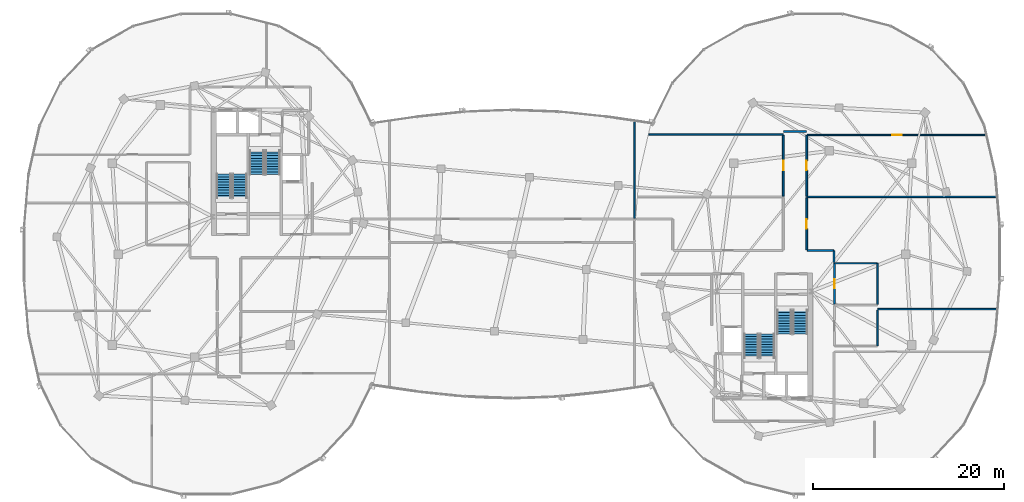
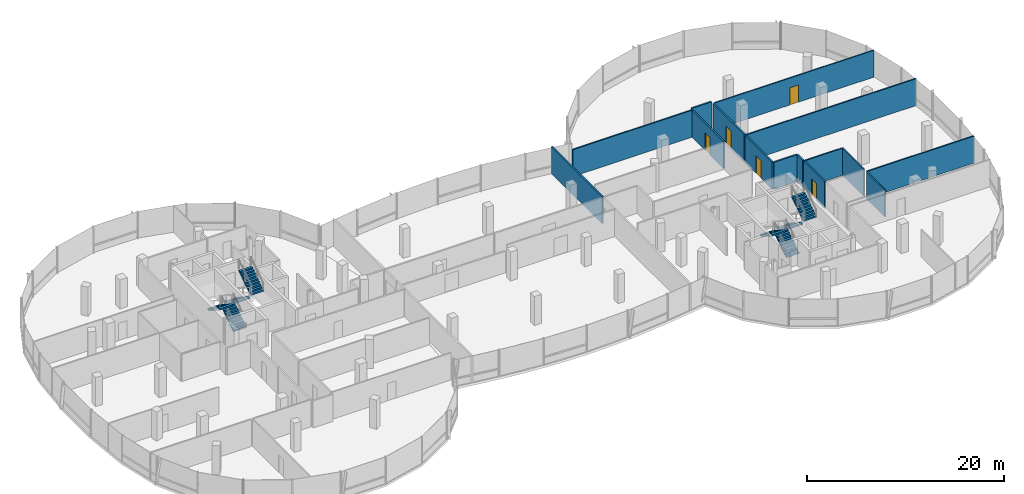
# One storey, part 17 of 25: 15 walls, 8 stair flights, 5 doors, 5 openings, 4 elements without a shape of their own.
"""IFC4 building model written with IfcOpenShell, lengths in metres."""

from ifc_helpers import new_model, si_unit, direction, frame, frame_2d, origin, place, context, subcontext, project, spatial, polyline, rectangle, outline, extrude, material, layer, layer_set, type_object, element, fill, aggregate, save


model = new_model("IFC4")

# Units and contexts
model_context = context("Model", 3, precision=1e-05, world=origin(), true_north=direction((0.0, 1.0)))
body_context = subcontext(model_context, "Body", "Model", "MODEL_VIEW")
ifc_project = project(units=[si_unit("LENGTHUNIT", "METRE"), si_unit("AREAUNIT", "SQUARE_METRE"), si_unit("VOLUMEUNIT", "CUBIC_METRE"), si_unit("PLANEANGLEUNIT", "RADIAN"), si_unit("MASSUNIT", "GRAM", prefix="KILO"), si_unit("THERMODYNAMICTEMPERATUREUNIT", "KELVIN"), si_unit("POWERUNIT", "WATT")], contexts=[model_context])

# Site, building, storey
site_placement = place(None, origin())
site = spatial("IfcSite", under=ifc_project, at=site_placement, CompositionType="ELEMENT")
building_placement = place(site_placement, origin())
building = spatial("IfcBuilding", under=site, at=building_placement, Name="Cundina Bronze Exchange", CompositionType="ELEMENT")
storey_placement = place(building_placement, frame((0.0, 0.0, 246.800048828125)))
storey = spatial("IfcBuildingStorey", under=building, at=storey_placement, Name="L65", CompositionType="ELEMENT", Elevation=246.800048828125)

# Wall, opening, door
ifc_material_1 = material(Name="Gypsum Fireboard Partition EI120")
ifc_layer_1 = layer(ifc_material_1, 0.179931640625, Name="Gypsum Fireboard Partition EI120")
ifc_layer_set_1 = layer_set([ifc_layer_1], Name="Gypsum Fireboard Partition EI120")
wall_type_1 = type_object("IfcWallType", Name="WL-COR-180", PredefinedType="PARTITIONING", material=ifc_layer_set_1)
wall_1_placement = place(storey_placement, frame((33.719970703125, -5.22998046875, 0.0), z_axis=(0.0, 0.0, 1.0), x_axis=(0.0, 1.0, 0.0)))
wall_1 = element("IfcWall", 1, at=wall_1_placement, inside=storey, type_object=wall_type_1, Name="L65 Interior Partition 045", PredefinedType="PARTITIONING", context=body_context, shape_type="SweptSolid", body=[
    extrude(rectangle(XDim=4.260009765625, YDim=0.179931640625, at=frame_2d((2.1298828125, 0.0))), origin(), (0.0, 0.0, 1.0), 3.33984375),
])
opening_1_placement = place(wall_1_placement, frame((1.655029296875, 0.0, 0.0)))
opening_1 = element("IfcOpeningElement", 2, at=opening_1_placement, cuts=wall_1, Name="Opening DW-01", PredefinedType="OPENING", context=body_context, shape_type="SweptSolid", body=[
    extrude(rectangle(XDim=0.949951171875, YDim=2.10009765625, at=frame_2d((0.47509765625, 1.050048828125))), frame((0.0, 0.099853515625, 0.0), z_axis=(0.0, -1.0, 0.0), x_axis=(1.0, 0.0, 0.0)), (0.0, 0.0, 1.0), 0.199951171875),
])
ifc_material_2 = material(Name="Solid Andean Oak Timber Grade A", Category="wood")
door_type_1 = type_object("IfcDoorType", Name="DR-WC-950", OperationType="NOTDEFINED", PredefinedType="DOOR", material=ifc_material_2)
door_1_placement = place(opening_1_placement, origin())
door_1 = element("IfcDoor", 3, at=door_1_placement, inside=storey, type_object=door_type_1, Name="L65 Interior Door 045", OperationType="SINGLE_SWING_LEFT", OverallHeight=2.10009765625, OverallWidth=0.949951171875, PredefinedType="DOOR", context=body_context, shape_type="SweptSolid", body=[
    extrude(rectangle(XDim=0.949951171875, YDim=2.10009765625, at=frame_2d((0.47509765625, 1.050048828125))), frame((0.0, 0.02490234375, 0.0), z_axis=(0.0, -1.0, 0.0), x_axis=(1.0, 0.0, 0.0)), (0.0, 0.0, 1.0), 0.050048828125),
])
fill(opening_1, door_1)

wall_2_placement = place(storey_placement, frame((30.820068359375, 0.449951171875, 0.0), z_axis=(0.0, 0.0, 1.0), x_axis=(0.0, 1.0, 0.0)))
wall_2 = element("IfcWall", 4, at=wall_2_placement, inside=storey, type_object=wall_type_1, Name="L65 Interior Partition 056", PredefinedType="PARTITIONING", context=body_context, shape_type="SweptSolid", body=[
    extrude(rectangle(XDim=5.43994140625, YDim=0.179931640625, at=frame_2d((2.719970703125, 0.0))), origin(), (0.0, 0.0, 1.0), 3.33984375),
])
opening_2_placement = place(wall_2_placement, frame((2.219970703125, 0.0, 0.0)))
opening_2 = element("IfcOpeningElement", 5, at=opening_2_placement, cuts=wall_2, Name="Opening DO-01", PredefinedType="OPENING", context=body_context, shape_type="SweptSolid", body=[
    extrude(rectangle(XDim=1.0, YDim=2.14990234375, at=frame_2d((0.5, 1.074951171875))), frame((0.0, 0.099853515625, 0.0), z_axis=(0.0, -1.0, 0.0), x_axis=(1.0, 0.0, 0.0)), (0.0, 0.0, 1.0), 0.199951171875),
])
door_type_2 = type_object("IfcDoorType", Name="DR-OFF-1000", OperationType="NOTDEFINED", PredefinedType="DOOR", material=ifc_material_2)
door_2_placement = place(opening_2_placement, origin())
door_2 = element("IfcDoor", 6, at=door_2_placement, inside=storey, type_object=door_type_2, Name="L65 Interior Door 056", OperationType="SINGLE_SWING_RIGHT", OverallHeight=2.14990234375, OverallWidth=1.0, PredefinedType="DOOR", context=body_context, shape_type="SweptSolid", body=[
    extrude(rectangle(XDim=1.0, YDim=2.14990234375, at=frame_2d((0.5, 1.074951171875))), frame((0.0, 0.02490234375, 0.0), z_axis=(0.0, -1.0, 0.0), x_axis=(1.0, 0.0, 0.0)), (0.0, 0.0, 1.0), 0.050048828125),
])
fill(opening_2, door_2)

# Walls
wall_3_placement = place(storey_placement, frame((33.62841796875, 0.3701171875, 0.0), z_axis=(0.0, 0.0, 1.0), x_axis=(-1.0, 0.0, 0.0)))
element("IfcWall", 7, at=wall_3_placement, inside=storey, type_object=wall_type_1, Name="L65 Interior Partition 057", PredefinedType="PARTITIONING", context=body_context, shape_type="SweptSolid", body=[
    extrude(rectangle(XDim=2.728515625, YDim=0.179931640625, at=frame_2d((1.3642578125, 0.0))), origin(), (0.0, 0.0, 1.0), 3.33984375),
])
wall_4_placement = place(storey_placement, frame((33.669921875, -0.858642578125, 0.0), z_axis=(0.0, 0.0, 1.0), x_axis=(0.0, 1.0, 0.0)))
element("IfcWall", 8, at=wall_4_placement, inside=storey, type_object=wall_type_1, Name="L65 Interior Partition 058", PredefinedType="PARTITIONING", context=body_context, shape_type="SweptSolid", body=[
    extrude(rectangle(XDim=1.187255859375, YDim=0.179931640625, at=frame_2d((0.59375, 0.0))), origin(), (0.0, 0.0, 1.0), 3.33984375),
])

# Wall, opening, door
wall_5_placement = place(storey_placement, frame((28.3798828125, 12.429931640625, 0.0), z_axis=(0.0, 0.0, 1.0), x_axis=(0.0, -1.0, 0.0)))
wall_5 = element("IfcWall", 9, at=wall_5_placement, inside=storey, type_object=wall_type_1, Name="L65 Interior Partition 063", PredefinedType="PARTITIONING", context=body_context, shape_type="SweptSolid", body=[
    extrude(rectangle(XDim=6.35986328125, YDim=0.179931640625, at=frame_2d((3.179931640625, 0.0))), origin(), (0.0, 0.0, 1.0), 3.33984375),
])
opening_3_placement = place(wall_5_placement, frame((2.679931640625, 0.0, 0.0)))
opening_3 = element("IfcOpeningElement", 10, at=opening_3_placement, cuts=wall_5, Name="Opening DO-01", PredefinedType="OPENING", context=body_context, shape_type="SweptSolid", body=[
    extrude(rectangle(XDim=1.0, YDim=2.14990234375, at=frame_2d((0.5, 1.074951171875))), frame((0.0, 0.099853515625, 0.0), z_axis=(0.0, -1.0, 0.0), x_axis=(1.0, 0.0, 0.0)), (0.0, 0.0, 1.0), 0.199951171875),
])
door_3_placement = place(opening_3_placement, origin())
door_3 = element("IfcDoor", 11, at=door_3_placement, inside=storey, type_object=door_type_2, Name="L65 Interior Door 063", OperationType="SINGLE_SWING_LEFT", OverallHeight=2.14990234375, OverallWidth=1.0, PredefinedType="DOOR", context=body_context, shape_type="SweptSolid", body=[
    extrude(rectangle(XDim=1.0, YDim=2.14990234375, at=frame_2d((0.5, 1.074951171875))), frame((0.0, 0.02490234375, 0.0), z_axis=(0.0, -1.0, 0.0), x_axis=(1.0, 0.0, 0.0)), (0.0, 0.0, 1.0), 0.050048828125),
])
fill(opening_3, door_3)

wall_6_placement = place(storey_placement, frame((30.820068359375, 6.070068359375, 0.0), z_axis=(0.0, 0.0, 1.0), x_axis=(0.0, 1.0, 0.0)))
wall_6 = element("IfcWall", 12, at=wall_6_placement, inside=storey, type_object=wall_type_1, Name="L65 Interior Partition 064", PredefinedType="PARTITIONING", context=body_context, shape_type="SweptSolid", body=[
    extrude(rectangle(XDim=6.35986328125, YDim=0.179931640625, at=frame_2d((3.179931640625, 0.0))), origin(), (0.0, 0.0, 1.0), 3.33984375),
])
opening_4_placement = place(wall_6_placement, frame((2.679931640625, 0.0, 0.0)))
opening_4 = element("IfcOpeningElement", 13, at=opening_4_placement, cuts=wall_6, Name="Opening DO-01", PredefinedType="OPENING", context=body_context, shape_type="SweptSolid", body=[
    extrude(rectangle(XDim=1.0, YDim=2.14990234375, at=frame_2d((0.5, 1.074951171875))), frame((0.0, 0.099853515625, 0.0), z_axis=(0.0, -1.0, 0.0), x_axis=(1.0, 0.0, 0.0)), (0.0, 0.0, 1.0), 0.199951171875),
])
door_4_placement = place(opening_4_placement, origin())
door_4 = element("IfcDoor", 14, at=door_4_placement, inside=storey, type_object=door_type_2, Name="L65 Interior Door 064", OperationType="SINGLE_SWING_RIGHT", OverallHeight=2.14990234375, OverallWidth=1.0, PredefinedType="DOOR", context=body_context, shape_type="SweptSolid", body=[
    extrude(rectangle(XDim=1.0, YDim=2.14990234375, at=frame_2d((0.5, 1.074951171875))), frame((0.0, 0.02490234375, 0.0), z_axis=(0.0, -1.0, 0.0), x_axis=(1.0, 0.0, 0.0)), (0.0, 0.0, 1.0), 0.050048828125),
])
fill(opening_4, door_4)

# Walls
wall_7_placement = place(storey_placement, frame((30.778564453125, 12.820068359375, 0.0), z_axis=(0.0, 0.0, 1.0), x_axis=(-1.0, 0.0, 0.0)))
element("IfcWall", 15, at=wall_7_placement, inside=storey, type_object=wall_type_1, Name="L65 Interior Partition 065", PredefinedType="PARTITIONING", context=body_context, shape_type="SweptSolid", body=[
    extrude(rectangle(XDim=2.357177734375, YDim=0.179931640625, at=frame_2d((1.1787109375, 0.0))), origin(), (0.0, 0.0, 1.0), 3.33984375),
])
wall_8_placement = place(storey_placement, frame((12.800048828125, 3.739990234375, 0.0), z_axis=(0.0, 0.0, 1.0), x_axis=(0.0, 1.0, 0.0)))
element("IfcWall", 16, at=wall_8_placement, inside=storey, type_object=wall_type_1, Name="L65 Interior Partition 077", PredefinedType="PARTITIONING", context=body_context, shape_type="SweptSolid", body=[
    extrude(rectangle(XDim=10.3037109375, YDim=0.179931640625, at=frame_2d((5.15185546875, 0.0))), origin(), (0.0, 0.0, 1.0), 3.33984375),
])

# Wall, opening, door
ifc_material_3 = material(Name="Gypsum Acoustic Partition EI60")
ifc_layer_2 = layer(ifc_material_3, 0.125, Name="Gypsum Acoustic Partition EI60")
ifc_layer_set_2 = layer_set([ifc_layer_2], Name="Gypsum Acoustic Partition EI60")
wall_type_2 = type_object("IfcWallType", Name="WL-OFF-125", PredefinedType="PARTITIONING", material=ifc_layer_set_2)
wall_9_placement = place(storey_placement, frame((49.61865234375, 12.469970703125, 0.0), z_axis=(0.0, 0.0, 1.0), x_axis=(-1.0, 0.0, 0.0)))
wall_9 = element("IfcWall", 17, at=wall_9_placement, inside=storey, type_object=wall_type_2, Name="L65 Interior Partition 067", PredefinedType="PARTITIONING", context=body_context, shape_type="SweptSolid", body=[
    extrude(rectangle(XDim=18.71875, YDim=0.125, at=frame_2d((9.359375, 0.0))), origin(), (0.0, 0.0, 1.0), 3.33984375),
])
opening_5_placement = place(wall_9_placement, frame((8.859375, 0.0, 0.0)))
opening_5 = element("IfcOpeningElement", 18, at=opening_5_placement, cuts=wall_9, Name="Opening DO-01", PredefinedType="OPENING", context=body_context, shape_type="SweptSolid", body=[
    extrude(rectangle(XDim=1.0, YDim=2.14990234375, at=frame_2d((0.5, 1.074951171875))), frame((0.0, 0.072509765625, 0.0), z_axis=(0.0, -1.0, 0.0), x_axis=(1.0, 0.0, 0.0)), (0.0, 0.0, 1.0), 0.14501953125),
])
door_5_placement = place(opening_5_placement, origin())
door_5 = element("IfcDoor", 19, at=door_5_placement, inside=storey, type_object=door_type_2, Name="L65 Interior Door 067", OperationType="SINGLE_SWING_LEFT", OverallHeight=2.14990234375, OverallWidth=1.0, PredefinedType="DOOR", context=body_context, shape_type="SweptSolid", body=[
    extrude(rectangle(XDim=1.0, YDim=2.14990234375, at=frame_2d((0.5, 1.074951171875))), frame((0.0, 0.02490234375, 0.0), z_axis=(0.0, -1.0, 0.0), x_axis=(1.0, 0.0, 0.0)), (0.0, 0.0, 1.0), 0.050048828125),
])
fill(opening_5, door_5)

# Walls
ifc_layer_3 = layer(ifc_material_3, 0.14990234375, Name="Gypsum Acoustic Partition EI60")
ifc_layer_set_3 = layer_set([ifc_layer_3], Name="Gypsum Acoustic Partition EI60")
wall_type_3 = type_object("IfcWallType", Name="WL-TEN-150", PredefinedType="PARTITIONING", material=ifc_layer_set_3)
wall_10_placement = place(storey_placement, frame((30.85009765625, 5.97998046875, 0.0), z_axis=(0.0, 0.0, 1.0), x_axis=(1.0, 0.0, 0.0)))
element("IfcWall", 20, at=wall_10_placement, inside=storey, type_object=wall_type_3, Name="L65 Interior Partition 048", PredefinedType="PARTITIONING", context=body_context, shape_type="SweptSolid", body=[
    extrude(rectangle(XDim=19.985107421875, YDim=0.14990234375, at=frame_2d((9.99267578125, 0.0))), origin(), (0.0, 0.0, 1.0), 3.33984375),
])
wall_11_placement = place(storey_placement, frame((14.314208984375, 12.52001953125, 0.0), z_axis=(0.0, 0.0, 1.0), x_axis=(1.0, 0.0, 0.0)))
element("IfcWall", 21, at=wall_11_placement, inside=storey, type_object=wall_type_3, Name="L65 Interior Partition 049", PredefinedType="PARTITIONING", context=body_context, shape_type="SweptSolid", body=[
    extrude(rectangle(XDim=14.035888671875, YDim=0.14990234375, at=frame_2d((7.01806640625, 0.0))), origin(), (0.0, 0.0, 1.0), 3.33984375),
])
wall_12_placement = place(storey_placement, frame((38.27001953125, -5.760009765625, 0.0), z_axis=(0.0, 0.0, 1.0), x_axis=(1.0, 0.0, 0.0)))
element("IfcWall", 22, at=wall_12_placement, inside=storey, type_object=wall_type_3, Name="L65 Interior Partition 050", PredefinedType="PARTITIONING", context=body_context, shape_type="SweptSolid", body=[
    extrude(rectangle(XDim=12.583740234375, YDim=0.14990234375, at=frame_2d((6.2919921875, 0.0))), origin(), (0.0, 0.0, 1.0), 3.33984375),
])
ifc_material_4 = material(Name="Moisture-Resistant Masonry Block Grade M15", Category="masonry")
ifc_layer_4 = layer(ifc_material_4, 0.139892578125, Name="Moisture-Resistant Masonry Block Grade M15", Category="masonry")
ifc_layer_set_4 = layer_set([ifc_layer_4], Name="Moisture-Resistant Masonry Block Grade M15")
wall_type_4 = type_object("IfcWallType", Name="WL-WET-140", PredefinedType="PARTITIONING", material=ifc_layer_set_4)
wall_13_placement = place(storey_placement, frame((38.239990234375, -9.590087890625, 0.0), z_axis=(0.0, 0.0, 1.0), x_axis=(0.0, 1.0, 0.0)))
element("IfcWall", 23, at=wall_13_placement, inside=storey, type_object=wall_type_4, Name="L65 Interior Partition 040", PredefinedType="PARTITIONING", context=body_context, shape_type="SweptSolid", body=[
    extrude(rectangle(XDim=3.7451171875, YDim=0.139892578125, at=frame_2d((1.87255859375, 0.0))), origin(), (0.0, 0.0, 1.0), 3.33984375),
])
wall_14_placement = place(storey_placement, frame((38.239990234375, -5.2451171875, 0.0), z_axis=(0.0, 0.0, 1.0), x_axis=(0.0, 1.0, 0.0)))
element("IfcWall", 24, at=wall_14_placement, inside=storey, type_object=wall_type_4, Name="L65 Interior Partition 041", PredefinedType="PARTITIONING", context=body_context, shape_type="SweptSolid", body=[
    extrude(rectangle(XDim=4.275146484375, YDim=0.139892578125, at=frame_2d((2.1376953125, 0.0))), origin(), (0.0, 0.0, 1.0), 3.33984375),
])
wall_15_placement = place(storey_placement, frame((33.739990234375, -0.949951171875, 0.0), z_axis=(0.0, 0.0, 1.0), x_axis=(1.0, 0.0, 0.0)))
element("IfcWall", 25, at=wall_15_placement, inside=storey, type_object=wall_type_4, Name="L65 Interior Partition 042", PredefinedType="PARTITIONING", context=body_context, shape_type="SweptSolid", body=[
    extrude(rectangle(XDim=4.47998046875, YDim=0.139892578125, at=frame_2d((2.239990234375, 0.0))), origin(), (0.0, 0.0, 1.0), 3.33984375),
])

# Stair, stair flights
ifc_material_5 = material(Name="Concrete C40/50", Category="concrete")
stair_type = type_object("IfcStairType", Name="STR-OFF-360", PredefinedType="HALF_TURN_STAIR", material=ifc_material_5)
stair_1_placement = place(storey_placement, origin())
stair_1 = element("IfcStair", 26, at=stair_1_placement, inside=storey, type_object=stair_type, Name="L65 Smokeproof Exit Stair W1", PredefinedType="HALF_TURN_STAIR")
stair_flight_type = type_object("IfcStairFlightType", Name="FLG-OFF-180", PredefinedType="STRAIGHT", material=ifc_material_5)
stair_flight_1_placement = place(storey_placement, frame((-28.489990234375, 5.85009765625, 0.0), z_axis=(0.0, 0.0, 1.0), x_axis=(0.0, 1.0, 0.0)))
stair_flight_1 = element("IfcStairFlight", 27, at=stair_flight_1_placement, type_object=stair_flight_type, Name="ST-W1 flight 1", NumberOfRisers=10, NumberOfTreads=9, PredefinedType="STRAIGHT", RiserHeight=0.18, TreadLength=0.28, context=body_context, shape_type="SweptSolid", body=[
    extrude(outline(polyline([(0.0, 0.0), (0.0, 0.179931640625), (0.280029296875, 0.179931640625), (0.280029296875, 0.360107421875), (0.56005859375, 0.360107421875), (0.56005859375, 0.5400390625), (0.840087890625, 0.5400390625), (0.840087890625, 0.719970703125), (1.1201171875, 0.719970703125), (1.1201171875, 0.89990234375), (1.39990234375, 0.89990234375), (1.39990234375, 1.080078125), (1.679931640625, 1.080078125), (1.679931640625, 1.260009765625), (1.9599609375, 1.260009765625), (1.9599609375, 1.43994140625), (2.239990234375, 1.43994140625), (2.239990234375, 1.6201171875), (2.52001953125, 1.6201171875), (2.52001953125, 1.800048828125), (2.52001953125, 1.44189453125), (0.277099609375, 0.0), (0.0, 0.0)])), frame((0.0, 0.75, 0.0), z_axis=(0.0, -1.0, 0.0), x_axis=(1.0, 0.0, 0.0)), (0.0, 0.0, 1.0), 1.5),
])
stair_flight_2_placement = place(storey_placement, frame((-30.14990234375, 8.3701171875, 1.800048828125), z_axis=(0.0, 0.0, 1.0), x_axis=(0.0, -1.0, 0.0)))
stair_flight_2 = element("IfcStairFlight", 28, at=stair_flight_2_placement, type_object=stair_flight_type, Name="ST-W1 flight 2", NumberOfRisers=10, NumberOfTreads=9, PredefinedType="STRAIGHT", RiserHeight=0.18, TreadLength=0.28, context=body_context, shape_type="SweptSolid", body=[
    extrude(outline(polyline([(0.0, 0.0), (0.0, 0.179931640625), (0.280029296875, 0.179931640625), (0.280029296875, 0.360107421875), (0.56005859375, 0.360107421875), (0.56005859375, 0.5400390625), (0.840087890625, 0.5400390625), (0.840087890625, 0.719970703125), (1.1201171875, 0.719970703125), (1.1201171875, 0.89990234375), (1.39990234375, 0.89990234375), (1.39990234375, 1.080078125), (1.679931640625, 1.080078125), (1.679931640625, 1.260009765625), (1.9599609375, 1.260009765625), (1.9599609375, 1.43994140625), (2.239990234375, 1.43994140625), (2.239990234375, 1.6201171875), (2.52001953125, 1.6201171875), (2.52001953125, 1.800048828125), (2.52001953125, 1.44189453125), (0.277099609375, 0.0), (0.0, 0.0)])), frame((0.0, 0.75, 0.0), z_axis=(0.0, -1.0, 0.0), x_axis=(1.0, 0.0, 0.0)), (0.0, 0.0, 1.0), 1.5),
])
aggregate(stair_1, [stair_flight_1, stair_flight_2])

stair_2_placement = place(storey_placement, origin())
stair_2 = element("IfcStair", 29, at=stair_2_placement, inside=storey, type_object=stair_type, Name="L65 Smokeproof Exit Stair W2", PredefinedType="HALF_TURN_STAIR")
stair_flight_3_placement = place(storey_placement, frame((-26.68994140625, 10.85009765625, 0.0), z_axis=(0.0, 0.0, 1.0), x_axis=(0.0, -1.0, 0.0)))
stair_flight_3 = element("IfcStairFlight", 30, at=stair_flight_3_placement, type_object=stair_flight_type, Name="ST-W2 flight 1", NumberOfRisers=10, NumberOfTreads=9, PredefinedType="STRAIGHT", RiserHeight=0.18, TreadLength=0.28, context=body_context, shape_type="SweptSolid", body=[
    extrude(outline(polyline([(0.0, 0.0), (0.0, 0.179931640625), (0.280029296875, 0.179931640625), (0.280029296875, 0.360107421875), (0.56005859375, 0.360107421875), (0.56005859375, 0.5400390625), (0.840087890625, 0.5400390625), (0.840087890625, 0.719970703125), (1.1201171875, 0.719970703125), (1.1201171875, 0.89990234375), (1.39990234375, 0.89990234375), (1.39990234375, 1.080078125), (1.679931640625, 1.080078125), (1.679931640625, 1.260009765625), (1.9599609375, 1.260009765625), (1.9599609375, 1.43994140625), (2.239990234375, 1.43994140625), (2.239990234375, 1.6201171875), (2.52001953125, 1.6201171875), (2.52001953125, 1.800048828125), (2.52001953125, 1.44189453125), (0.277099609375, 0.0), (0.0, 0.0)])), frame((0.0, 0.75, 0.0), z_axis=(0.0, -1.0, 0.0), x_axis=(1.0, 0.0, 0.0)), (0.0, 0.0, 1.0), 1.5),
])
stair_flight_4_placement = place(storey_placement, frame((-25.030029296875, 8.330078125, 1.800048828125), z_axis=(0.0, 0.0, 1.0), x_axis=(0.0, 1.0, 0.0)))
stair_flight_4 = element("IfcStairFlight", 31, at=stair_flight_4_placement, type_object=stair_flight_type, Name="ST-W2 flight 2", NumberOfRisers=10, NumberOfTreads=9, PredefinedType="STRAIGHT", RiserHeight=0.18, TreadLength=0.28, context=body_context, shape_type="SweptSolid", body=[
    extrude(outline(polyline([(0.0, 0.0), (0.0, 0.179931640625), (0.280029296875, 0.179931640625), (0.280029296875, 0.360107421875), (0.56005859375, 0.360107421875), (0.56005859375, 0.5400390625), (0.840087890625, 0.5400390625), (0.840087890625, 0.719970703125), (1.1201171875, 0.719970703125), (1.1201171875, 0.89990234375), (1.39990234375, 0.89990234375), (1.39990234375, 1.080078125), (1.679931640625, 1.080078125), (1.679931640625, 1.260009765625), (1.9599609375, 1.260009765625), (1.9599609375, 1.43994140625), (2.239990234375, 1.43994140625), (2.239990234375, 1.6201171875), (2.52001953125, 1.6201171875), (2.52001953125, 1.800048828125), (2.52001953125, 1.44189453125), (0.277099609375, 0.0), (0.0, 0.0)])), frame((0.0, 0.75, 0.0), z_axis=(0.0, -1.0, 0.0), x_axis=(1.0, 0.0, 0.0)), (0.0, 0.0, 1.0), 1.5),
])
aggregate(stair_2, [stair_flight_3, stair_flight_4])

stair_3_placement = place(storey_placement, origin())
stair_3 = element("IfcStair", 32, at=stair_3_placement, inside=storey, type_object=stair_type, Name="L65 Smokeproof Exit Stair E1", PredefinedType="HALF_TURN_STAIR")
stair_flight_5_placement = place(storey_placement, frame((28.489990234375, -5.85009765625, 0.0), z_axis=(0.0, 0.0, 1.0), x_axis=(0.0, -1.0, 0.0)))
stair_flight_5 = element("IfcStairFlight", 33, at=stair_flight_5_placement, type_object=stair_flight_type, Name="ST-E1 flight 1", NumberOfRisers=10, NumberOfTreads=9, PredefinedType="STRAIGHT", RiserHeight=0.18, TreadLength=0.28, context=body_context, shape_type="SweptSolid", body=[
    extrude(outline(polyline([(0.0, 0.0), (0.0, 0.179931640625), (0.280029296875, 0.179931640625), (0.280029296875, 0.360107421875), (0.56005859375, 0.360107421875), (0.56005859375, 0.5400390625), (0.840087890625, 0.5400390625), (0.840087890625, 0.719970703125), (1.1201171875, 0.719970703125), (1.1201171875, 0.89990234375), (1.39990234375, 0.89990234375), (1.39990234375, 1.080078125), (1.679931640625, 1.080078125), (1.679931640625, 1.260009765625), (1.9599609375, 1.260009765625), (1.9599609375, 1.43994140625), (2.239990234375, 1.43994140625), (2.239990234375, 1.6201171875), (2.52001953125, 1.6201171875), (2.52001953125, 1.800048828125), (2.52001953125, 1.44189453125), (0.277099609375, 0.0), (0.0, 0.0)])), frame((0.0, 0.75, 0.0), z_axis=(0.0, -1.0, 0.0), x_axis=(1.0, 0.0, 0.0)), (0.0, 0.0, 1.0), 1.5),
])
stair_flight_6_placement = place(storey_placement, frame((30.14990234375, -8.3701171875, 1.800048828125), z_axis=(0.0, 0.0, 1.0), x_axis=(0.0, 1.0, 0.0)))
stair_flight_6 = element("IfcStairFlight", 34, at=stair_flight_6_placement, type_object=stair_flight_type, Name="ST-E1 flight 2", NumberOfRisers=10, NumberOfTreads=9, PredefinedType="STRAIGHT", RiserHeight=0.18, TreadLength=0.28, context=body_context, shape_type="SweptSolid", body=[
    extrude(outline(polyline([(0.0, 0.0), (0.0, 0.179931640625), (0.280029296875, 0.179931640625), (0.280029296875, 0.360107421875), (0.56005859375, 0.360107421875), (0.56005859375, 0.5400390625), (0.840087890625, 0.5400390625), (0.840087890625, 0.719970703125), (1.1201171875, 0.719970703125), (1.1201171875, 0.89990234375), (1.39990234375, 0.89990234375), (1.39990234375, 1.080078125), (1.679931640625, 1.080078125), (1.679931640625, 1.260009765625), (1.9599609375, 1.260009765625), (1.9599609375, 1.43994140625), (2.239990234375, 1.43994140625), (2.239990234375, 1.6201171875), (2.52001953125, 1.6201171875), (2.52001953125, 1.800048828125), (2.52001953125, 1.44189453125), (0.277099609375, 0.0), (0.0, 0.0)])), frame((0.0, 0.75, 0.0), z_axis=(0.0, -1.0, 0.0), x_axis=(1.0, 0.0, 0.0)), (0.0, 0.0, 1.0), 1.5),
])
aggregate(stair_3, [stair_flight_5, stair_flight_6])

stair_4_placement = place(storey_placement, origin())
stair_4 = element("IfcStair", 35, at=stair_4_placement, inside=storey, type_object=stair_type, Name="L65 Smokeproof Exit Stair E2", PredefinedType="HALF_TURN_STAIR")
stair_flight_7_placement = place(storey_placement, frame((26.68994140625, -10.85009765625, 0.0), z_axis=(0.0, 0.0, 1.0), x_axis=(0.0, 1.0, 0.0)))
stair_flight_7 = element("IfcStairFlight", 36, at=stair_flight_7_placement, type_object=stair_flight_type, Name="ST-E2 flight 1", NumberOfRisers=10, NumberOfTreads=9, PredefinedType="STRAIGHT", RiserHeight=0.18, TreadLength=0.28, context=body_context, shape_type="SweptSolid", body=[
    extrude(outline(polyline([(0.0, 0.0), (0.0, 0.179931640625), (0.280029296875, 0.179931640625), (0.280029296875, 0.360107421875), (0.56005859375, 0.360107421875), (0.56005859375, 0.5400390625), (0.840087890625, 0.5400390625), (0.840087890625, 0.719970703125), (1.1201171875, 0.719970703125), (1.1201171875, 0.89990234375), (1.39990234375, 0.89990234375), (1.39990234375, 1.080078125), (1.679931640625, 1.080078125), (1.679931640625, 1.260009765625), (1.9599609375, 1.260009765625), (1.9599609375, 1.43994140625), (2.239990234375, 1.43994140625), (2.239990234375, 1.6201171875), (2.52001953125, 1.6201171875), (2.52001953125, 1.800048828125), (2.52001953125, 1.44189453125), (0.277099609375, 0.0), (0.0, 0.0)])), frame((0.0, 0.75, 0.0), z_axis=(0.0, -1.0, 0.0), x_axis=(1.0, 0.0, 0.0)), (0.0, 0.0, 1.0), 1.5),
])
stair_flight_8_placement = place(storey_placement, frame((25.030029296875, -8.330078125, 1.800048828125), z_axis=(0.0, 0.0, 1.0), x_axis=(0.0, -1.0, 0.0)))
stair_flight_8 = element("IfcStairFlight", 37, at=stair_flight_8_placement, type_object=stair_flight_type, Name="ST-E2 flight 2", NumberOfRisers=10, NumberOfTreads=9, PredefinedType="STRAIGHT", RiserHeight=0.18, TreadLength=0.28, context=body_context, shape_type="SweptSolid", body=[
    extrude(outline(polyline([(0.0, 0.0), (0.0, 0.179931640625), (0.280029296875, 0.179931640625), (0.280029296875, 0.360107421875), (0.56005859375, 0.360107421875), (0.56005859375, 0.5400390625), (0.840087890625, 0.5400390625), (0.840087890625, 0.719970703125), (1.1201171875, 0.719970703125), (1.1201171875, 0.89990234375), (1.39990234375, 0.89990234375), (1.39990234375, 1.080078125), (1.679931640625, 1.080078125), (1.679931640625, 1.260009765625), (1.9599609375, 1.260009765625), (1.9599609375, 1.43994140625), (2.239990234375, 1.43994140625), (2.239990234375, 1.6201171875), (2.52001953125, 1.6201171875), (2.52001953125, 1.800048828125), (2.52001953125, 1.44189453125), (0.277099609375, 0.0), (0.0, 0.0)])), frame((0.0, 0.75, 0.0), z_axis=(0.0, -1.0, 0.0), x_axis=(1.0, 0.0, 0.0)), (0.0, 0.0, 1.0), 1.5),
])
aggregate(stair_4, [stair_flight_7, stair_flight_8])

save(model, "model.ifc")
